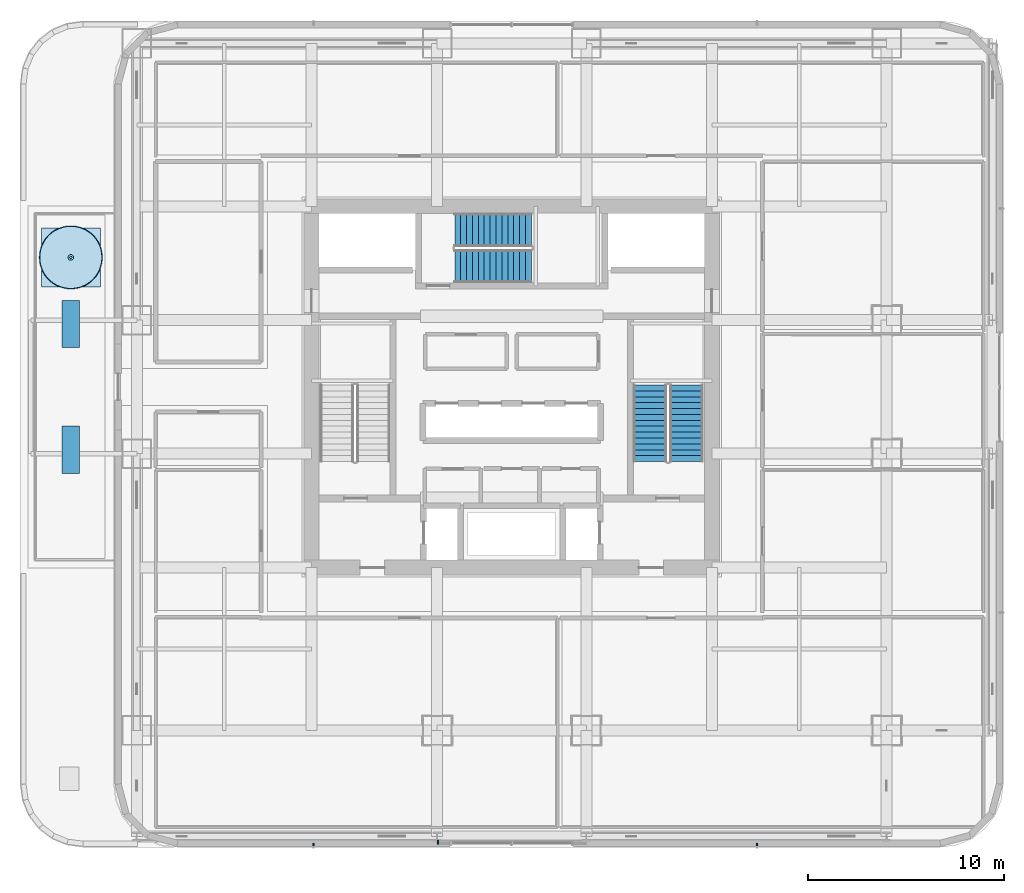
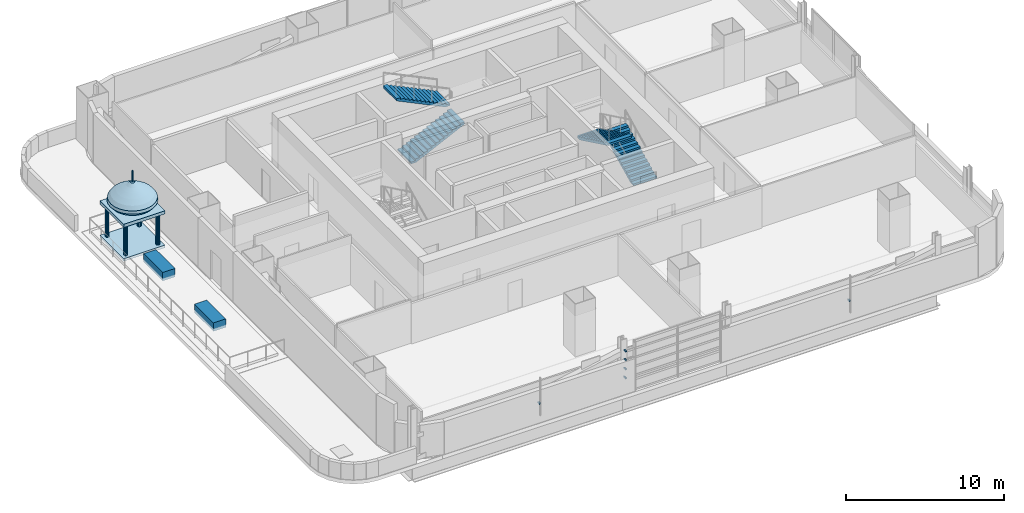
# One storey, part 14 of 27: 8 discrete accessories, 4 stair flights, 1 roof, 2 elements without a shape of their own.
"""IFC4 building model written with IfcOpenShell, lengths in metres."""

from ifc_helpers import new_model, entity, si_unit, direction, frame, origin, origin_2d, place, context, subcontext, project, spatial, polyline, rectangle, circle, outline, extrude, material, type_object, element, aggregate, save


model = new_model("IFC4")

# Units and contexts
model_context = context("Model", 3, precision=1e-05, world=origin(), true_north=direction((0.0, 1.0)))
body_context = subcontext(model_context, "Body", "Model", "MODEL_VIEW")
ifc_project = project(units=[si_unit("LENGTHUNIT", "METRE"), si_unit("AREAUNIT", "SQUARE_METRE"), si_unit("VOLUMEUNIT", "CUBIC_METRE"), si_unit("PLANEANGLEUNIT", "RADIAN"), si_unit("MASSUNIT", "GRAM", prefix="KILO")], contexts=[model_context])

# Site, building, storey
site_placement = place(None, origin())
site = spatial("IfcSite", under=ifc_project, at=site_placement, CompositionType="ELEMENT")
building_placement = place(site_placement, origin())
building = spatial("IfcBuilding", under=site, at=building_placement, Name="Punatoya Terracotta Tower", CompositionType="ELEMENT")
storey_placement = place(building_placement, frame((0.0, 0.0, 60.60009765625)))
storey = spatial("IfcBuildingStorey", under=building, at=storey_placement, Name="L13", CompositionType="ELEMENT", Elevation=60.60009765625)

# Stair, stair flights
ifc_material_1 = material(Name="Concrete C40/50", Category="concrete")
stair_type_1 = type_object("IfcStairType", Name="STR-LOB-1650", PredefinedType="HALF_TURN_STAIR", material=ifc_material_1)
stair_1_placement = place(storey_placement, origin())
stair_1 = element("IfcStair", 1, at=stair_1_placement, inside=storey, type_object=stair_type_1, Name="L13 Protected Core Exit Stair ST-2", PredefinedType="HALF_TURN_STAIR")
stair_flight_type_1 = type_object("IfcStairFlightType", Name="SFL-LOB-1650", PredefinedType="STRAIGHT", material=ifc_material_1)
stair_flight_1_placement = place(storey_placement, frame((8.89990234375, -3.800048828125, 0.0), z_axis=(0.0, 0.0, 1.0), x_axis=(0.0, 1.0, 0.0)))
stair_flight_1 = element("IfcStairFlight", 2, at=stair_flight_1_placement, type_object=stair_flight_type_1, Name="ST-2 flight 1", NumberOfRisers=14, NumberOfTreads=13, PredefinedType="STRAIGHT", RiserHeight=0.144642857, TreadLength=0.3, context=body_context, shape_type="SweptSolid", body=[
    extrude(outline(polyline([(0.0, 0.0), (0.0, 0.14453125), (0.300048828125, 0.14453125), (0.300048828125, 0.289306640625), (0.60009765625, 0.289306640625), (0.60009765625, 0.433837890625), (0.89990234375, 0.433837890625), (0.89990234375, 0.57861328125), (1.199951171875, 0.57861328125), (1.199951171875, 0.72314453125), (1.5, 0.72314453125), (1.5, 0.867919921875), (1.800048828125, 0.867919921875), (1.800048828125, 1.012451171875), (2.10009765625, 1.012451171875), (2.10009765625, 1.1572265625), (2.39990234375, 1.1572265625), (2.39990234375, 1.3017578125), (2.699951171875, 1.3017578125), (2.699951171875, 1.446533203125), (3.0, 1.446533203125), (3.0, 1.591064453125), (3.300048828125, 1.591064453125), (3.300048828125, 1.735595703125), (3.60009765625, 1.735595703125), (3.60009765625, 1.88037109375), (3.89990234375, 1.88037109375), (3.89990234375, 2.02490234375), (3.89990234375, 1.7138671875), (0.34521484375, 0.0), (0.0, 0.0)])), frame((0.0, 0.85009765625, 0.0), z_axis=(0.0, -1.0, 0.0), x_axis=(1.0, 0.0, 0.0)), (0.0, 0.0, 1.0), 1.699951171875),
])
stair_flight_2_placement = place(storey_placement, frame((7.050048828125, 0.10009765625, 2.02490234375), z_axis=(0.0, 0.0, 1.0), x_axis=(0.0, -1.0, 0.0)))
stair_flight_2 = element("IfcStairFlight", 3, at=stair_flight_2_placement, type_object=stair_flight_type_1, Name="ST-2 flight 2", NumberOfRisers=14, NumberOfTreads=13, PredefinedType="STRAIGHT", RiserHeight=0.144642857, TreadLength=0.3, context=body_context, shape_type="SweptSolid", body=[
    extrude(outline(polyline([(0.0, 0.0), (0.0, 0.14453125), (0.300048828125, 0.14453125), (0.300048828125, 0.289306640625), (0.60009765625, 0.289306640625), (0.60009765625, 0.433837890625), (0.89990234375, 0.433837890625), (0.89990234375, 0.57861328125), (1.199951171875, 0.57861328125), (1.199951171875, 0.72314453125), (1.5, 0.72314453125), (1.5, 0.867919921875), (1.800048828125, 0.867919921875), (1.800048828125, 1.012451171875), (2.10009765625, 1.012451171875), (2.10009765625, 1.1572265625), (2.39990234375, 1.1572265625), (2.39990234375, 1.3017578125), (2.699951171875, 1.3017578125), (2.699951171875, 1.446533203125), (3.0, 1.446533203125), (3.0, 1.591064453125), (3.300048828125, 1.591064453125), (3.300048828125, 1.735595703125), (3.60009765625, 1.735595703125), (3.60009765625, 1.88037109375), (3.89990234375, 1.88037109375), (3.89990234375, 2.02490234375), (3.89990234375, 1.7138671875), (0.34521484375, 0.0), (0.0, 0.0)])), frame((0.0, 0.85009765625, 0.0), z_axis=(0.0, -1.0, 0.0), x_axis=(1.0, 0.0, 0.0)), (0.0, 0.0, 1.0), 1.699951171875),
])
aggregate(stair_1, [stair_flight_1, stair_flight_2])

stair_type_2 = type_object("IfcStairType", Name="STR-TER-1450", PredefinedType="HALF_TURN_STAIR", material=ifc_material_1)
stair_2_placement = place(storey_placement, origin())
stair_2 = element("IfcStair", 4, at=stair_2_placement, inside=storey, type_object=stair_type_2, Name="L13 Protected Core Exit Stair ST-3", PredefinedType="HALF_TURN_STAIR")
stair_flight_type_2 = type_object("IfcStairFlightType", Name="SFL-TER-1450", PredefinedType="STRAIGHT", material=ifc_material_1)
stair_flight_3_placement = place(storey_placement, frame((-2.89990234375, 6.14990234375, 0.0), z_axis=(0.0, 0.0, 1.0), x_axis=(1.0, 0.0, 0.0)))
stair_flight_3 = element("IfcStairFlight", 5, at=stair_flight_3_placement, type_object=stair_flight_type_2, Name="ST-3 flight 1", NumberOfRisers=14, NumberOfTreads=13, PredefinedType="STRAIGHT", RiserHeight=0.144642857, TreadLength=0.3, context=body_context, shape_type="SweptSolid", body=[
    extrude(outline(polyline([(0.0, 0.0), (0.0, 0.14453125), (0.300048828125, 0.14453125), (0.300048828125, 0.289306640625), (0.60009765625, 0.289306640625), (0.60009765625, 0.433837890625), (0.89990234375, 0.433837890625), (0.89990234375, 0.57861328125), (1.199951171875, 0.57861328125), (1.199951171875, 0.72314453125), (1.5, 0.72314453125), (1.5, 0.867919921875), (1.800048828125, 0.867919921875), (1.800048828125, 1.012451171875), (2.10009765625, 1.012451171875), (2.10009765625, 1.1572265625), (2.39990234375, 1.1572265625), (2.39990234375, 1.3017578125), (2.699951171875, 1.3017578125), (2.699951171875, 1.446533203125), (3.0, 1.446533203125), (3.0, 1.591064453125), (3.300048828125, 1.591064453125), (3.300048828125, 1.735595703125), (3.60009765625, 1.735595703125), (3.60009765625, 1.88037109375), (3.89990234375, 1.88037109375), (3.89990234375, 2.02490234375), (3.89990234375, 1.7138671875), (0.34521484375, 0.0), (0.0, 0.0)])), frame((0.0, 0.85009765625, 0.0), z_axis=(0.0, -1.0, 0.0), x_axis=(1.0, 0.0, 0.0)), (0.0, 0.0, 1.0), 1.699951171875),
])
stair_flight_4_placement = place(storey_placement, frame((1.0, 8.0, 2.02490234375), z_axis=(0.0, 0.0, 1.0), x_axis=(-1.0, 0.0, 0.0)))
stair_flight_4 = element("IfcStairFlight", 6, at=stair_flight_4_placement, type_object=stair_flight_type_2, Name="ST-3 flight 2", NumberOfRisers=14, NumberOfTreads=13, PredefinedType="STRAIGHT", RiserHeight=0.144642857, TreadLength=0.3, context=body_context, shape_type="SweptSolid", body=[
    extrude(outline(polyline([(0.0, 0.0), (0.0, 0.14453125), (0.300048828125, 0.14453125), (0.300048828125, 0.289306640625), (0.60009765625, 0.289306640625), (0.60009765625, 0.433837890625), (0.89990234375, 0.433837890625), (0.89990234375, 0.57861328125), (1.199951171875, 0.57861328125), (1.199951171875, 0.72314453125), (1.5, 0.72314453125), (1.5, 0.867919921875), (1.800048828125, 0.867919921875), (1.800048828125, 1.012451171875), (2.10009765625, 1.012451171875), (2.10009765625, 1.1572265625), (2.39990234375, 1.1572265625), (2.39990234375, 1.3017578125), (2.699951171875, 1.3017578125), (2.699951171875, 1.446533203125), (3.0, 1.446533203125), (3.0, 1.591064453125), (3.300048828125, 1.591064453125), (3.300048828125, 1.735595703125), (3.60009765625, 1.735595703125), (3.60009765625, 1.88037109375), (3.89990234375, 1.88037109375), (3.89990234375, 2.02490234375), (3.89990234375, 1.7138671875), (0.34521484375, 0.0), (0.0, 0.0)])), frame((0.0, 0.85009765625, 0.0), z_axis=(0.0, -1.0, 0.0), x_axis=(1.0, 0.0, 0.0)), (0.0, 0.0, 1.0), 1.699951171875),
])
aggregate(stair_2, [stair_flight_3, stair_flight_4])

# Roof
ifc_material_2 = material(Name="Architectural Fired Terracotta", Category="masonry")
roof_type = type_object("IfcRoofType", Name="ROF-CHH-2600", PredefinedType="DOME_ROOF", material=ifc_material_2)
roof_placement = place(storey_placement, frame((-22.4599609375, 6.60009765625, 0.0), z_axis=(0.0, 0.0, 1.0), x_axis=(1.0, 0.0, 0.0)))
cartesian_point = entity("IfcCartesianPoint", [0.0, 0.0])
element("IfcRoof", 7, at=roof_placement, inside=storey, type_object=roof_type, Name="L13 Sky Terrace Pavilion (Chhatri) CH-04", PredefinedType="DOME_ROOF", context=body_context, shape_type="SweptSolid", body=[
    extrude(rectangle(XDim=3.0, YDim=3.0, at=origin_2d()), origin(), (0.0, 0.0, 1.0), 0.199951171875),
    extrude(circle(Radius=0.1298828125, at=origin_2d()), frame((-1.169921875, -1.169921875, 0.199951171875)), (0.0, 0.0, 1.0), 2.39990234375),
    extrude(circle(Radius=0.1298828125, at=origin_2d()), frame((1.169921875, -1.169921875, 0.199951171875)), (0.0, 0.0, 1.0), 2.39990234375),
    extrude(circle(Radius=0.1298828125, at=origin_2d()), frame((1.169921875, 1.169921875, 0.199951171875)), (0.0, 0.0, 1.0), 2.39990234375),
    extrude(circle(Radius=0.1298828125, at=origin_2d()), frame((-1.169921875, 1.169921875, 0.199951171875)), (0.0, 0.0, 1.0), 2.39990234375),
    extrude(rectangle(XDim=3.0, YDim=3.0, at=origin_2d()), frame((0.0, 0.0, 2.599853515625)), (0.0, 0.0, 1.0), 0.25),
    entity("IfcRevolvedAreaSolid", entity("IfcArbitraryClosedProfileDef", "AREA", None, entity("IfcPolyline", [cartesian_point, entity("IfcCartesianPoint", [1.06396484375, 0.0]), entity("IfcCartesianPoint", [1.16064453125, 0.094970703125]), entity("IfcCartesianPoint", [1.418701171875, 0.2470703125]), entity("IfcCartesianPoint", [1.612060546875, 0.47509765625]), entity("IfcCartesianPoint", [1.579833984375, 0.702880859375]), entity("IfcCartesianPoint", [1.386474609375, 0.968994140625]), entity("IfcCartesianPoint", [1.03173828125, 1.23486328125]), entity("IfcCartesianPoint", [0.677001953125, 1.462890625]), entity("IfcCartesianPoint", [0.386962890625, 1.634033203125]), entity("IfcCartesianPoint", [0.2255859375, 1.766845703125]), entity("IfcCartesianPoint", [0.14501953125, 1.843017578125]), entity("IfcCartesianPoint", [0.0, 1.89990234375]), cartesian_point])), entity("IfcAxis2Placement3D", entity("IfcCartesianPoint", [0.0, 0.0, 2.849853515625]), entity("IfcDirection", [0.0, -1.0, 0.0]), entity("IfcDirection", [1.0, 0.0, 0.0])), entity("IfcAxis1Placement", entity("IfcCartesianPoint", [0.0, 0.0, 0.0]), entity("IfcDirection", [0.0, 1.0, 0.0])), 6.283185307179586),
    extrude(circle(Radius=0.06005859375, at=origin_2d()), frame((0.0, 0.0, 4.749755859375)), (0.0, 0.0, 1.0), 0.800048828125),
])

# Discrete accessories
ifc_material_3 = material(Name="Steel S355", Category="steel")
discrete_accessory_type_1 = type_object("IfcDiscreteAccessoryType", Name="ACC-BRK-220", PredefinedType="BRACKET", material=ifc_material_3)
for number, where, z_axis, x_axis, name in (
    (8, (-10.093505859375, -23.35009765625, 1.449951171875), (0.0, 0.0, 1.0), (1.0, 0.0, 0.0), "L13 Jali Fin Support Bracket S1"),
    (9, (12.493408203125, -23.35009765625, 1.449951171875), (0.0, 0.0, 1.0), (1.0, 0.0, 0.0), "L13 Jali Fin Support Bracket S2"),
    (10, (-3.75, -23.193115234375, 1.099853515625), (0.0, 0.0, 1.0), (1.0, 0.0, 0.0), "L13 Baguette Louvre Column Bracket BAG-L13-S-01"),
    (11, (-3.75, -23.193115234375, 1.78662109375), (0.0, 0.0, 1.0), (1.0, 0.0, 0.0), "L13 Baguette Louvre Column Bracket BAG-L13-S-02"),
    (12, (-3.75, -23.193115234375, 2.47314453125), (0.0, 0.0, 1.0), (1.0, 0.0, 0.0), "L13 Baguette Louvre Column Bracket BAG-L13-S-03"),
    (13, (-3.75, -23.193115234375, 3.159912109375), (0.0, 0.0, 1.0), (1.0, 0.0, 0.0), "L13 Baguette Louvre Column Bracket BAG-L13-S-04"),
):
    element("IfcDiscreteAccessory", number, at=place(storey_placement, frame(where, z_axis=z_axis, x_axis=x_axis)), inside=storey, type_object=discrete_accessory_type_1, Name=name, PredefinedType="BRACKET", context=body_context, shape_type="SweptSolid", body=[
        extrude(rectangle(XDim=0.090087890625, YDim=0.219970703125, at=origin_2d()), origin(), (0.0, 0.0, 1.0), 0.10009765625),
    ])
ifc_material_4 = material(Name="Architectural Terracotta Planter + Green Soil", Category="masonry")
discrete_accessory_type_2 = type_object("IfcDiscreteAccessoryType", Name="ACC-PLANTER", PredefinedType="USERDEFINED", material=ifc_material_4)
for number, where, z_axis, x_axis, name in (
    (14, (-22.4599609375, -3.199951171875, 0.0), (0.0, 0.0, 1.0), (0.0, 1.0, 0.0), "L13 Planted Terracotta Sky-Garden Planter 1"),
    (15, (-22.4599609375, 3.199951171875, 0.0), (0.0, 0.0, 1.0), (0.0, 1.0, 0.0), "L13 Planted Terracotta Sky-Garden Planter 2"),
):
    element("IfcDiscreteAccessory", number, at=place(storey_placement, frame(where, z_axis=z_axis, x_axis=x_axis)), inside=storey, type_object=discrete_accessory_type_2, Name=name, ObjectType="PLANTER", PredefinedType="USERDEFINED", context=body_context, shape_type="SweptSolid", body=[
        extrude(rectangle(XDim=2.39990234375, YDim=0.89990234375, at=origin_2d()), origin(), (0.0, 0.0, 1.0), 0.64990234375),
    ])

save(model, "model.ifc")
